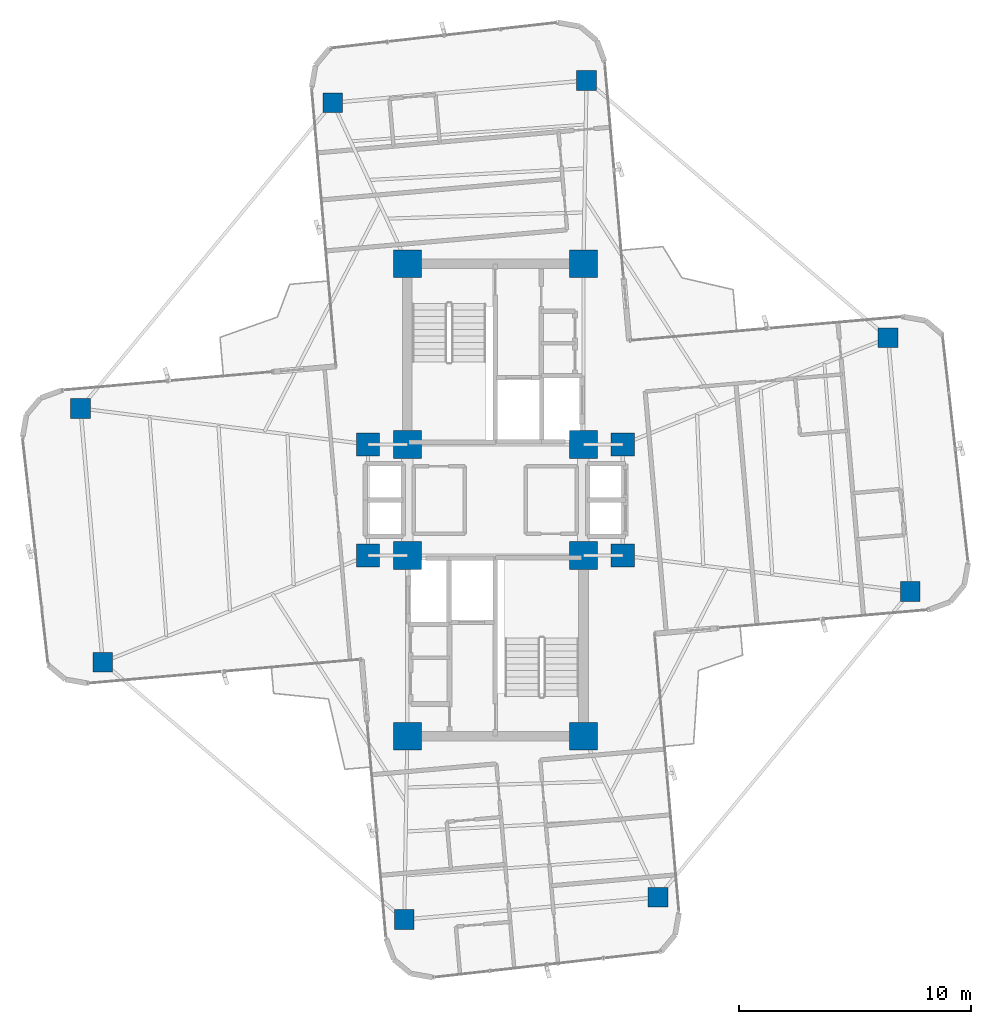
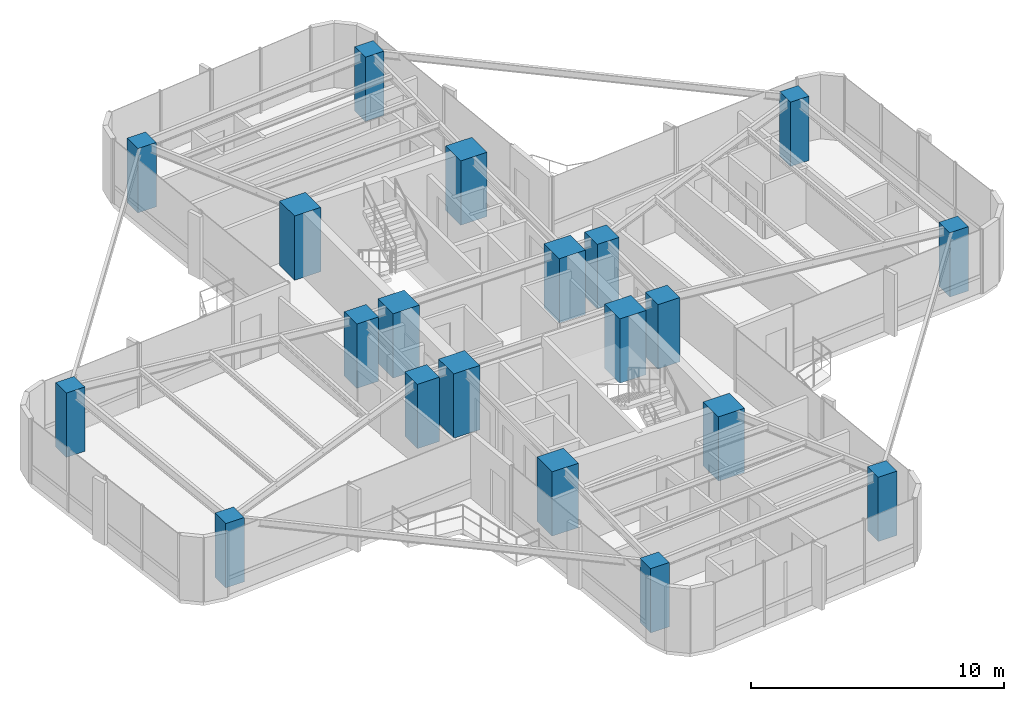
# One storey, part 1 of 24: 20 columns.
"""IFC4 building model written with IfcOpenShell, lengths in metres."""

from ifc_helpers import new_model, si_unit, direction, frame, origin, origin_2d, place, context, subcontext, project, spatial, rectangle, extrude, source, transform, mapped, material, material_profile, profile_set, type_object, element, save


model = new_model("IFC4")

# Units and contexts
model_context = context("Model", 3, precision=1e-05, world=origin(), true_north=direction((0.0, 1.0)))
body_context = subcontext(model_context, "Body", "Model", "MODEL_VIEW")
ifc_project = project(units=[si_unit("LENGTHUNIT", "METRE"), si_unit("AREAUNIT", "SQUARE_METRE"), si_unit("VOLUMEUNIT", "CUBIC_METRE"), si_unit("PLANEANGLEUNIT", "RADIAN"), si_unit("MASSUNIT", "GRAM", prefix="KILO")], contexts=[model_context])

# Site, building, storey
site_placement = place(None, origin())
site = spatial("IfcSite", under=ifc_project, at=site_placement, CompositionType="ELEMENT")
building_placement = place(site_placement, origin())
building = spatial("IfcBuilding", under=site, at=building_placement, Name="Sahyath Konkavel Grand Hotel", CompositionType="ELEMENT")
storey_placement = place(building_placement, frame((0.0, 0.0, 150.60009765625)))
storey = spatial("IfcBuildingStorey", under=building, at=storey_placement, Name="L41", CompositionType="ELEMENT", Elevation=150.60009765625)

# Columns
ifc_material_1 = material(Name="Concrete C50/60", Category="concrete")
ifc_material_profile_1 = material_profile(ifc_material_1, rectangle(XDim=1.199951171875, YDim=1.199951171875, at=origin_2d()), Name="RC 1200x1200")
ifc_profile_set_1 = profile_set([ifc_material_profile_1], Name="Concrete C50/60")
column_type_1 = type_object("IfcColumnType", Name="COL-RC1200", PredefinedType="COLUMN", material=ifc_profile_set_1)
shared_shape_1 = source(origin(), body_context, "Body", "SweptSolid", [
    extrude(rectangle(XDim=1.199951171875, YDim=1.199951171875, at=origin_2d()), origin(), (0.0, 0.0, 1.0), 3.10986328125),
])
for number, where, z_axis, x_axis, name in (
    (1, (-3.800048828125, 2.39990234375, 0.0), (0.0, 0.0, 1.0), (1.0, 0.0, 0.0), "L41 Core Boundary Column NC-SW"),
    (2, (3.800048828125, 2.39990234375, 0.0), (0.0, 0.0, 1.0), (1.0, 0.0, 0.0), "L41 Core Boundary Column NC-SE"),
    (3, (-3.800048828125, 10.199951171875, 0.0), (0.0, 0.0, 1.0), (1.0, 0.0, 0.0), "L41 Core Boundary Column NC-NW"),
    (4, (3.800048828125, 10.199951171875, 0.0), (0.0, 0.0, 1.0), (1.0, 0.0, 0.0), "L41 Core Boundary Column NC-NE"),
    (5, (-3.800048828125, -2.39990234375, 0.0), (0.0, 0.0, 1.0), (1.0, 0.0, 0.0), "L41 Core Boundary Column SC-NW"),
    (6, (3.800048828125, -2.39990234375, 0.0), (0.0, 0.0, 1.0), (1.0, 0.0, 0.0), "L41 Core Boundary Column SC-NE"),
    (7, (-3.800048828125, -10.199951171875, 0.0), (0.0, 0.0, 1.0), (1.0, 0.0, 0.0), "L41 Core Boundary Column SC-SW"),
    (8, (3.800048828125, -10.199951171875, 0.0), (0.0, 0.0, 1.0), (1.0, 0.0, 0.0), "L41 Core Boundary Column SC-SE"),
):
    element("IfcColumn", number, at=place(storey_placement, frame(where, z_axis=z_axis, x_axis=x_axis)), inside=storey, type_object=column_type_1, Name=name, PredefinedType="COLUMN", context=body_context, shape_type="MappedRepresentation", body=[
        mapped(shared_shape_1, transform((0.0, 0.0, 0.0), scale=1.0)),
    ])
ifc_material_profile_2 = material_profile(ifc_material_1, rectangle(XDim=1.0, YDim=1.0, at=origin_2d()), Name="RC 1000x1000")
ifc_profile_set_2 = profile_set([ifc_material_profile_2], Name="Concrete C50/60")
column_type_2 = type_object("IfcColumnType", Name="COL-RC1000", PredefinedType="COLUMN", material=ifc_profile_set_2)
shared_shape_2 = source(origin(), body_context, "Body", "SweptSolid", [
    extrude(rectangle(XDim=1.0, YDim=1.0, at=origin_2d()), origin(), (0.0, 0.0, 1.0), 3.10986328125),
])
for number, where, z_axis, x_axis, name in (
    (9, (5.5, 2.39990234375, 0.0), (0.0, 0.0, 1.0), (1.0, 0.0, 0.0), "L41 Central Spine Column HB-NE"),
    (10, (-5.5, 2.39990234375, 0.0), (0.0, 0.0, 1.0), (1.0, 0.0, 0.0), "L41 Central Spine Column HB-NW"),
    (11, (5.5, -2.39990234375, 0.0), (0.0, 0.0, 1.0), (1.0, 0.0, 0.0), "L41 Central Spine Column HB-SE"),
    (12, (-5.5, -2.39990234375, 0.0), (0.0, 0.0, 1.0), (1.0, 0.0, 0.0), "L41 Central Spine Column HB-SW"),
):
    element("IfcColumn", number, at=place(storey_placement, frame(where, z_axis=z_axis, x_axis=x_axis)), inside=storey, type_object=column_type_2, Name=name, PredefinedType="COLUMN", context=body_context, shape_type="MappedRepresentation", body=[
        mapped(shared_shape_2, transform((0.0, 0.0, 0.0), scale=1.0)),
    ])
ifc_material_2 = material(Name="Concrete C40/50", Category="concrete")
ifc_material_profile_3 = material_profile(ifc_material_2, rectangle(XDim=0.85009765625, YDim=0.85009765625, at=origin_2d()), Name="RC 850x850")
ifc_profile_set_3 = profile_set([ifc_material_profile_3], Name="Concrete C40/50")
column_type_3 = type_object("IfcColumnType", Name="COL-RC850", PredefinedType="COLUMN", material=ifc_profile_set_3)
shared_shape_3 = source(origin(), body_context, "Body", "SweptSolid", [
    extrude(rectangle(XDim=0.85009765625, YDim=0.85009765625, at=origin_2d()), origin(), (0.0, 0.0, 1.0), 3.10986328125),
])
for number, where, z_axis, x_axis, name in (
    (13, (17.912841796875, -3.953857421875, 0.0), (0.0, 0.0, 1.0), (1.0, 0.0, 0.0), "L41 Cruciform Wing Column WC-EA"),
    (14, (16.9541015625, 7.00439453125, 0.0), (0.0, 0.0, 1.0), (1.0, 0.0, 0.0), "L41 Cruciform Wing Column WC-EB"),
    (15, (3.936279296875, 18.112060546875, 0.0), (0.0, 0.0, 1.0), (1.0, 0.0, 0.0), "L41 Cruciform Wing Column WC-NA"),
    (16, (-7.021728515625, 17.1533203125, 0.0), (0.0, 0.0, 1.0), (1.0, 0.0, 0.0), "L41 Cruciform Wing Column WC-NB"),
    (17, (-17.912841796875, 3.953857421875, 0.0), (0.0, 0.0, 1.0), (1.0, 0.0, 0.0), "L41 Cruciform Wing Column WC-WA"),
    (18, (-16.9541015625, -7.00439453125, 0.0), (0.0, 0.0, 1.0), (1.0, 0.0, 0.0), "L41 Cruciform Wing Column WC-WB"),
    (19, (-3.936279296875, -18.112060546875, 0.0), (0.0, 0.0, 1.0), (1.0, 0.0, 0.0), "L41 Cruciform Wing Column WC-SA"),
    (20, (7.021728515625, -17.1533203125, 0.0), (0.0, 0.0, 1.0), (1.0, 0.0, 0.0), "L41 Cruciform Wing Column WC-SB"),
):
    element("IfcColumn", number, at=place(storey_placement, frame(where, z_axis=z_axis, x_axis=x_axis)), inside=storey, type_object=column_type_3, Name=name, PredefinedType="COLUMN", context=body_context, shape_type="MappedRepresentation", body=[
        mapped(shared_shape_3, transform((0.0, 0.0, 0.0), scale=1.0)),
    ])

save(model, "model.ifc")
